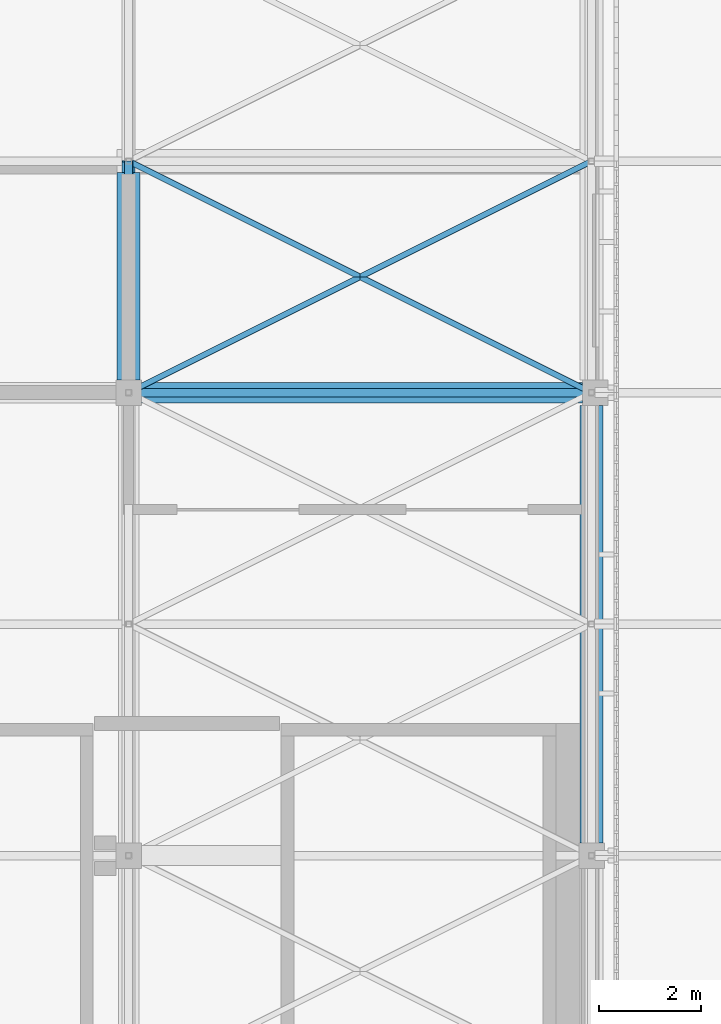
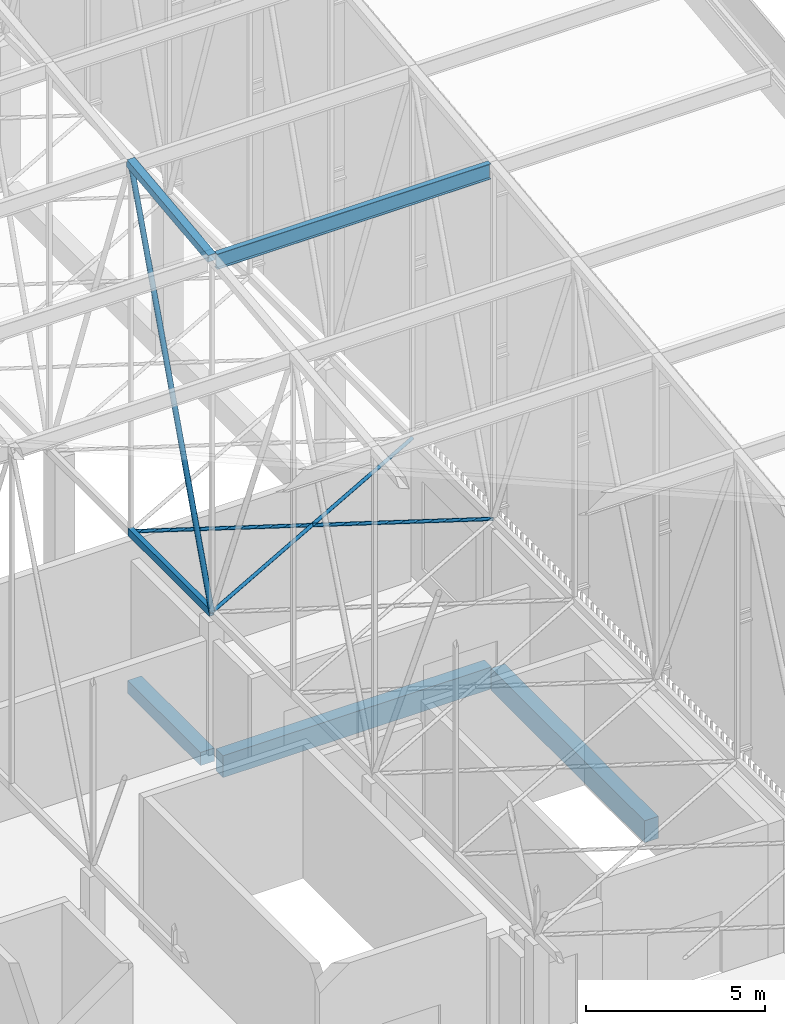
# One storey, part 356 of 500: 6 members, 3 beams.
"""IFC4 building model written with IfcOpenShell, lengths in metres."""

from ifc_helpers import new_model, si_unit, direction, frame, origin, origin_2d, place, context, subcontext, project, spatial, rectangle, hollow_rectangle, hollow_circle, i_section, extrude, material, material_profile, profile_set, type_object, element, save


model = new_model("IFC4")

# Units and contexts
model_context = context("Model", 3, precision=1e-05, world=origin(), true_north=direction((0.0, 1.0)))
body_context = subcontext(model_context, "Body", "Model", "MODEL_VIEW")
ifc_project = project(units=[si_unit("LENGTHUNIT", "METRE"), si_unit("AREAUNIT", "SQUARE_METRE"), si_unit("VOLUMEUNIT", "CUBIC_METRE"), si_unit("PLANEANGLEUNIT", "RADIAN"), si_unit("MASSUNIT", "GRAM", prefix="KILO")], contexts=[model_context])

# Site, building, storey
site_placement = place(None, origin())
site = spatial("IfcSite", under=ifc_project, at=site_placement, CompositionType="ELEMENT")
building_placement = place(site_placement, origin())
building = spatial("IfcBuilding", under=site, at=building_placement, Name="Shirokan Park Arena", CompositionType="ELEMENT")
storey_placement = place(building_placement, frame((0.0, 0.0, 29.1201171875)))
storey = spatial("IfcBuildingStorey", under=building, at=storey_placement, Name="L06", CompositionType="ELEMENT", Elevation=29.1201171875)

# Members
ifc_material_1 = material(Name="Steel ASTM A500 Grade C", Category="steel")
ifc_material_profile_1 = material_profile(ifc_material_1, hollow_rectangle(XDim=0.152099609375, YDim=0.25390625, WallThickness=0.009521484375, at=origin_2d()), Name="HSS254X152.4X9.5")
ifc_profile_set_1 = profile_set([ifc_material_profile_1], Name="Steel ASTM A500 Grade C")
member_type_1 = type_object("IfcMemberType", Name="Bottom chord HSS254X152.4X9.5", PredefinedType="CHORD", material=ifc_profile_set_1)
member_1_placement = place(storey_placement, frame((136.5, 36.39990234375, 4.677001953125), z_axis=(0.0, 1.0, 0.0), x_axis=(-1.0, 0.0, 0.0)))
element("IfcMember", 1, at=member_1_placement, inside=storey, type_object=member_type_1, Name="Truss T16 bottom chord 11", PredefinedType="CHORD", context=body_context, shape_type="SweptSolid", body=[
    extrude(hollow_rectangle(XDim=0.152099609375, YDim=0.25390625, WallThickness=0.009521484375, at=origin_2d()), origin(), (0.0, 0.0, 1.0), 4.550048828125),
])
ifc_material_profile_2 = material_profile(ifc_material_1, hollow_circle(Radius=0.056884765625, WallThickness=0.006103515625, at=origin_2d()), Name="HSS114.3X6")
ifc_profile_set_2 = profile_set([ifc_material_profile_2], Name="Steel ASTM A500 Grade C")
member_type_2 = type_object("IfcMemberType", Name="Plan bracing HSS114.3X6", PredefinedType="BRACE", material=ifc_profile_set_2)
for number, where, z_axis, x_axis, name in (
    (2, (136.5, 36.39990234375, 4.677001953125), (0.894427191, 0.4472135955, 0.0), (-0.4472135955, 0.894427191, 0.0), "Plan bracing bay 16 panel 11 A"),
    (3, (145.60009765625, 36.39990234375, 4.677001953125), (-0.894427191, 0.4472135955, 0.0), (-0.4472135955, -0.894427191, 0.0), "Plan bracing bay 16 panel 11 B"),
):
    element("IfcMember", number, at=place(storey_placement, frame(where, z_axis=z_axis, x_axis=x_axis)), inside=storey, type_object=member_type_2, Name=name, PredefinedType="BRACE", context=body_context, shape_type="SweptSolid", body=[
        extrude(hollow_circle(Radius=0.056884765625, WallThickness=0.006103515625, at=origin_2d()), origin(), (0.0, 0.0, 1.0), 10.17431640625),
    ])
ifc_material_2 = material(Name="Steel ASTM A992", Category="steel")
ifc_material_profile_3 = material_profile(ifc_material_2, i_section(OverallWidth=0.166015625, OverallDepth=0.528076171875, WebThickness=0.009765625, FlangeThickness=0.013671875, at=origin_2d()), Name="W530X74")
ifc_profile_set_3 = profile_set([ifc_material_profile_3], Name="Steel ASTM A992")
member_type_3 = type_object("IfcMemberType", Name="Purlin W530X74", PredefinedType="PURLIN", material=ifc_profile_set_3)
member_2_placement = place(storey_placement, frame((136.626953125, 36.39990234375, 16.64599609375), z_axis=(1.0, 0.0, 0.0), x_axis=(0.0, 1.0, 0.0)))
element("IfcMember", 4, at=member_2_placement, inside=storey, type_object=member_type_3, Name="Purlin 11 bay 16", PredefinedType="PURLIN", context=body_context, shape_type="SweptSolid", body=[
    extrude(i_section(OverallWidth=0.166015625, OverallDepth=0.528076171875, WebThickness=0.009765625, FlangeThickness=0.013671875, at=origin_2d()), origin(), (0.0, 0.0, 1.0), 8.845947265625),
])

# Beams
ifc_material_3 = material(Name="Concrete C35", Category="concrete")
ifc_material_profile_4 = material_profile(ifc_material_3, rectangle(XDim=0.449951171875, YDim=0.449951171875, at=origin_2d()), Name="450x450")
ifc_profile_set_4 = profile_set([ifc_material_profile_4], Name="Concrete C35")
beam_type_1 = type_object("IfcBeamType", Name="RC edge beam 450x450", PredefinedType="BEAM", material=ifc_profile_set_4)
beam_1_placement = place(storey_placement, frame((136.5, 36.64990234375, -0.425048828125), z_axis=(0.0, 1.0, 0.0), x_axis=(-1.0, 0.0, 0.0)))
element("IfcBeam", 5, at=beam_1_placement, inside=storey, type_object=beam_type_1, Name="Edge beam L06 L06-43 transverse", PredefinedType="BEAM", context=body_context, shape_type="SweptSolid", body=[
    extrude(rectangle(XDim=0.449951171875, YDim=0.449951171875, at=origin_2d()), origin(), (0.0, 0.0, 1.0), 4.0751953125),
])
ifc_material_profile_5 = material_profile(ifc_material_3, rectangle(XDim=0.39990234375, YDim=0.75, at=origin_2d()), Name="400x750")
ifc_profile_set_5 = profile_set([ifc_material_profile_5], Name="Concrete C35")
beam_type_2 = type_object("IfcBeamType", Name="RC girder 400x750", PredefinedType="BEAM", material=ifc_profile_set_5)
beam_2_placement = place(storey_placement, frame((136.75, 36.39990234375, -0.5751953125), z_axis=(1.0, 0.0, 0.0), x_axis=(0.0, 1.0, 0.0)))
element("IfcBeam", 6, at=beam_2_placement, inside=storey, type_object=beam_type_2, Name="Girder 16E-17E L06", PredefinedType="BEAM", context=body_context, shape_type="SweptSolid", body=[
    extrude(rectangle(XDim=0.39990234375, YDim=0.75, at=origin_2d()), origin(), (0.0, 0.0, 1.0), 8.6748046875),
])
ifc_material_profile_6 = material_profile(ifc_material_3, rectangle(XDim=0.449951171875, YDim=0.75, at=origin_2d()), Name="450x750")
ifc_profile_set_6 = profile_set([ifc_material_profile_6], Name="Concrete C35")
beam_type_3 = type_object("IfcBeamType", Name="RC girder 450x750", PredefinedType="BEAM", material=ifc_profile_set_6)
beam_3_placement = place(storey_placement, frame((145.60009765625, 27.550048828125, -0.5751953125), z_axis=(0.0, 1.0, 0.0), x_axis=(-1.0, 0.0, 0.0)))
element("IfcBeam", 7, at=beam_3_placement, inside=storey, type_object=beam_type_3, Name="Girder 17D-17E L06", PredefinedType="BEAM", context=body_context, shape_type="SweptSolid", body=[
    extrude(rectangle(XDim=0.449951171875, YDim=0.75, at=origin_2d()), origin(), (0.0, 0.0, 1.0), 8.599853515625),
])

# Members
ifc_material_profile_7 = material_profile(ifc_material_1, hollow_rectangle(XDim=0.25390625, YDim=0.25390625, WallThickness=0.009521484375, at=origin_2d()), Name="HSS254X254X9.5")
ifc_profile_set_7 = profile_set([ifc_material_profile_7], Name="Steel ASTM A500 Grade C")
member_type_4 = type_object("IfcMemberType", Name="Top chord HSS254X254X9.5", PredefinedType="CHORD", material=ifc_profile_set_7)
member_3_placement = place(storey_placement, frame((136.5, 36.39990234375, 16.782958984375), z_axis=(0.0, 0.993532328996, 0.113549598152), x_axis=(-1.0, 0.0, 0.0)))
element("IfcMember", 8, at=member_3_placement, inside=storey, type_object=member_type_4, Name="Truss T16 top chord 11", PredefinedType="CHORD", context=body_context, shape_type="SweptSolid", body=[
    extrude(hollow_rectangle(XDim=0.25390625, YDim=0.25390625, WallThickness=0.009521484375, at=origin_2d()), origin(), (0.0, 0.0, 1.0), 4.57958984375),
])
ifc_material_profile_8 = material_profile(ifc_material_1, hollow_circle(Radius=0.083984375, WallThickness=0.009521484375, at=origin_2d()), Name="HSS168.3X9.5")
ifc_profile_set_8 = profile_set([ifc_material_profile_8], Name="Steel ASTM A500 Grade C")
member_type_5 = type_object("IfcMemberType", Name="Truss diagonal HSS168.3X9.5", PredefinedType="BRACE", material=ifc_profile_set_8)
member_4_placement = place(storey_placement, frame((136.5, 36.39990234375, 4.677001953125), z_axis=(0.0, 0.339029292845, 0.940775817394), x_axis=(-1.0, 0.0, 0.0)))
element("IfcMember", 9, at=member_4_placement, inside=storey, type_object=member_type_5, Name="Truss T16 diagonal 11", PredefinedType="BRACE", context=body_context, shape_type="SweptSolid", body=[
    extrude(hollow_circle(Radius=0.083984375, WallThickness=0.009521484375, at=origin_2d()), origin(), (0.0, 0.0, 1.0), 13.4208984375),
])

save(model, "model.ifc")
